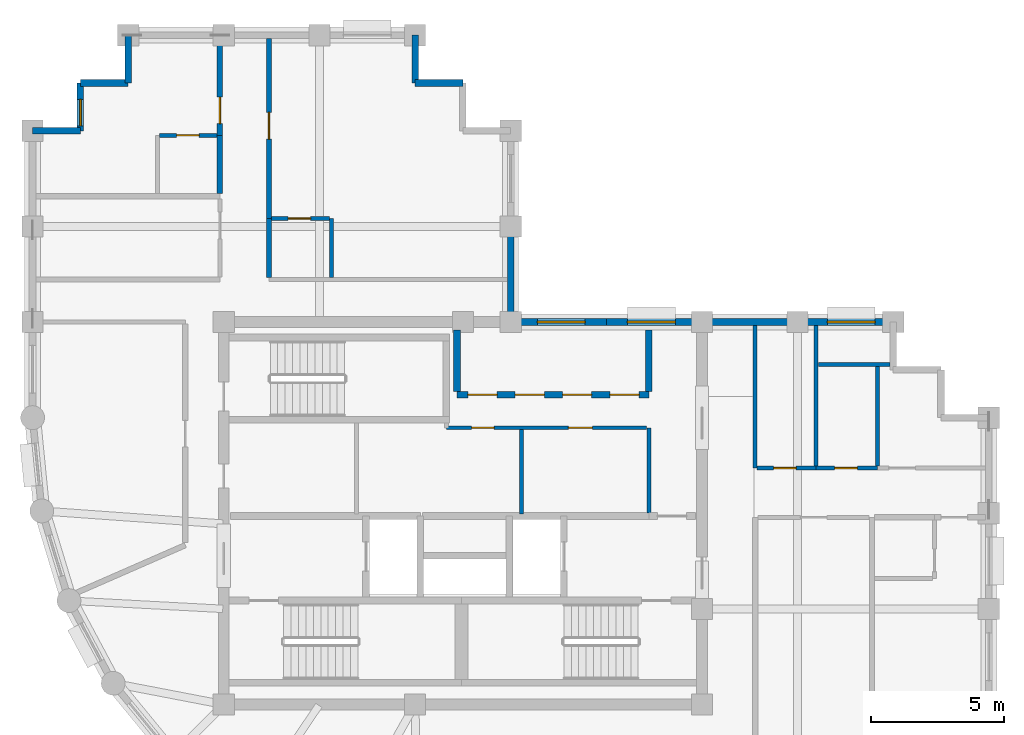
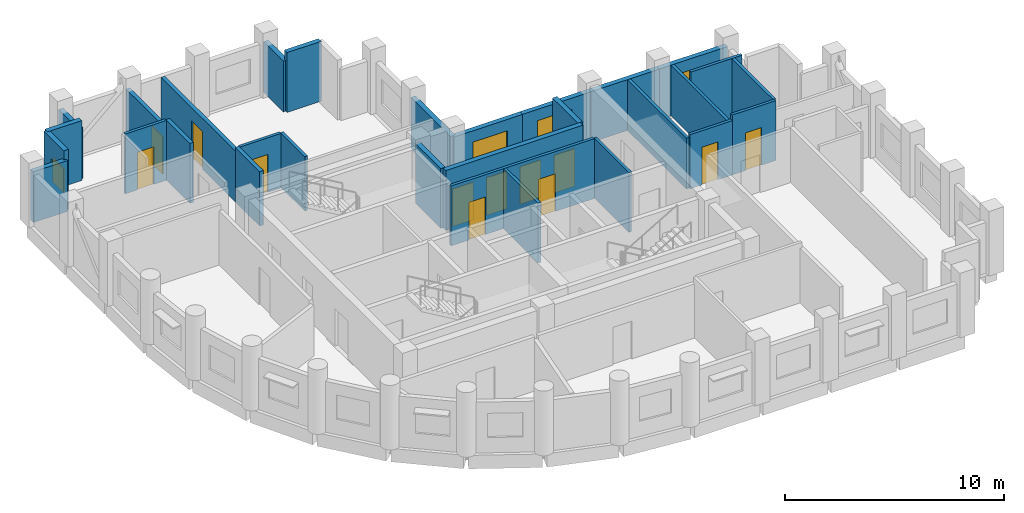
# One storey, part 4 of 7: 30 walls, 12 doors, 4 windows, 16 openings.
"""IFC4 building model written with IfcOpenShell, lengths in metres."""

from ifc_helpers import new_model, si_unit, direction, frame, frame_2d, origin, place, context, subcontext, project, spatial, rectangle, extrude, material, layer, layer_set, type_object, element, fill, save


model = new_model("IFC4")

# Units and contexts
model_context = context("Model", 3, precision=1e-05, world=origin(), true_north=direction((0.0, 1.0)))
body_context = subcontext(model_context, "Body", "Model", "MODEL_VIEW")
ifc_project = project(units=[si_unit("LENGTHUNIT", "METRE"), si_unit("AREAUNIT", "SQUARE_METRE"), si_unit("VOLUMEUNIT", "CUBIC_METRE"), si_unit("PLANEANGLEUNIT", "RADIAN"), si_unit("MASSUNIT", "GRAM", prefix="KILO")], contexts=[model_context])

# Site, building, storey
site_placement = place(None, origin())
site = spatial("IfcSite", under=ifc_project, at=site_placement, CompositionType="ELEMENT")
building_placement = place(site_placement, origin())
building = spatial("IfcBuilding", under=site, at=building_placement, Name="Solnavia Interchange Tower", CompositionType="ELEMENT")
storey_placement = place(building_placement, frame((0.0, 0.0, 242.60009765625)))
storey = spatial("IfcBuildingStorey", under=building, at=storey_placement, Name="L61", CompositionType="ELEMENT", Elevation=242.60009765625)

# Wall
ifc_material_1 = material(Name="Gypsum Acoustic Twin-Stud & Mineral Wool", Category="gypsum")
ifc_layer_1 = layer(ifc_material_1, 0.199951171875)
ifc_layer_set_1 = layer_set([ifc_layer_1], Name="Gypsum Acoustic Twin-Stud & Mineral Wool")
wall_type_1 = type_object("IfcWallType", Name="Wall-ApartmentParty-200", PredefinedType="PARTITIONING", material=ifc_layer_set_1)
wall_1_placement = place(storey_placement, frame((14.25, 30.033935546875, 0.0), z_axis=(0.0, 0.0, 1.0), x_axis=(0.0, 1.0, 0.0)))
element("IfcWall", 1, at=wall_1_placement, inside=storey, type_object=wall_type_1, Name="PTW-L61-28 Interior partition wall", PredefinedType="PARTITIONING", context=body_context, shape_type="SweptSolid", body=[
    extrude(rectangle(XDim=2.196044921875, YDim=0.199951171875, at=frame_2d((1.09814453125, 0.0))), origin(), (0.0, 0.0, 1.0), 3.3349609375),
])

# Wall, opening, door
wall_2_placement = place(storey_placement, frame((14.25, 32.22998046875, 0.0), z_axis=(0.0, 0.0, 1.0), x_axis=(0.0, 1.0, 0.0)))
wall_2 = element("IfcWall", 2, at=wall_2_placement, inside=storey, type_object=wall_type_1, Name="PTW-L61-29 Interior partition wall", PredefinedType="PARTITIONING", context=body_context, shape_type="SweptSolid", body=[
    extrude(rectangle(XDim=3.64111328125, YDim=0.199951171875, at=frame_2d((1.820556640625, 0.0))), origin(), (0.0, 0.0, 1.0), 2.829833984375),
])
opening_1_placement = place(wall_2_placement, frame((0.43896484375, 0.0, 0.0)))
opening_1 = element("IfcOpeningElement", 3, at=opening_1_placement, cuts=wall_2, Name="Opening DR-06", PredefinedType="OPENING", context=body_context, shape_type="SweptSolid", body=[
    extrude(rectangle(XDim=1.0, YDim=2.10009765625, at=frame_2d((0.5, 1.050048828125))), frame((0.0, 0.10986328125, 0.0), z_axis=(0.0, -1.0, 0.0), x_axis=(1.0, 0.0, 0.0)), (0.0, 0.0, 1.0), 0.219970703125),
])
ifc_material_2 = material(Name="Engineered Timber Acoustic Fire Door", Category="wood")
door_type_1 = type_object("IfcDoorType", Name="Door-FlatEntry-1000x2100", OperationType="SINGLE_SWING_LEFT", PredefinedType="DOOR", material=ifc_material_2)
door_1_placement = place(opening_1_placement, origin())
door_1 = element("IfcDoor", 4, at=door_1_placement, inside=storey, type_object=door_type_1, Name="DR-L61-13 Interior room door", OperationType="SINGLE_SWING_RIGHT", OverallHeight=2.10009765625, OverallWidth=1.0, PredefinedType="DOOR", context=body_context, shape_type="SweptSolid", body=[
    extrude(rectangle(XDim=1.0, YDim=2.10009765625, at=frame_2d((0.5, 1.050048828125))), frame((0.0, 0.02490234375, 0.0), z_axis=(0.0, -1.0, 0.0), x_axis=(1.0, 0.0, 0.0)), (0.0, 0.0, 1.0), 0.050048828125),
])
fill(opening_1, door_1)

# Wall
wall_3_placement = place(storey_placement, frame((16.10009765625, 26.87890625, 0.0), z_axis=(0.0, 0.0, 1.0), x_axis=(0.0, 1.0, 0.0)))
element("IfcWall", 5, at=wall_3_placement, inside=storey, type_object=wall_type_1, Name="PTW-L61-33 Interior partition wall", PredefinedType="PARTITIONING", context=body_context, shape_type="SweptSolid", body=[
    extrude(rectangle(XDim=2.22119140625, YDim=0.199951171875, at=frame_2d((1.110595703125, 0.0))), origin(), (0.0, 0.0, 1.0), 3.02978515625),
])

# Wall, opening, door
wall_4_placement = place(storey_placement, frame((16.10009765625, 29.10009765625, 0.0), z_axis=(0.0, 0.0, 1.0), x_axis=(0.0, 1.0, 0.0)))
wall_4 = element("IfcWall", 6, at=wall_4_placement, inside=storey, type_object=wall_type_1, Name="PTW-L61-34 Interior partition wall", PredefinedType="PARTITIONING", context=body_context, shape_type="SweptSolid", body=[
    extrude(rectangle(XDim=6.77099609375, YDim=0.199951171875, at=frame_2d((3.385498046875, 0.0))), origin(), (0.0, 0.0, 1.0), 2.829833984375),
])
opening_2_placement = place(wall_4_placement, frame((2.989990234375, 0.0, 0.0)))
opening_2 = element("IfcOpeningElement", 7, at=opening_2_placement, cuts=wall_4, Name="Opening DR-06", PredefinedType="OPENING", context=body_context, shape_type="SweptSolid", body=[
    extrude(rectangle(XDim=1.0, YDim=2.10009765625, at=frame_2d((0.5, 1.050048828125))), frame((0.0, 0.10986328125, 0.0), z_axis=(0.0, -1.0, 0.0), x_axis=(1.0, 0.0, 0.0)), (0.0, 0.0, 1.0), 0.219970703125),
])
door_2_placement = place(opening_2_placement, origin())
door_2 = element("IfcDoor", 8, at=door_2_placement, inside=storey, type_object=door_type_1, Name="DR-L61-15 Interior room door", OperationType="SINGLE_SWING_LEFT", OverallHeight=2.10009765625, OverallWidth=1.0, PredefinedType="DOOR", context=body_context, shape_type="SweptSolid", body=[
    extrude(rectangle(XDim=1.0, YDim=2.10009765625, at=frame_2d((0.5, 1.050048828125))), frame((0.0, 0.02490234375, 0.0), z_axis=(0.0, -1.0, 0.0), x_axis=(1.0, 0.0, 0.0)), (0.0, 0.0, 1.0), 0.050048828125),
])
fill(opening_2, door_2)

# Wall, opening, window
ifc_material_3 = material(Name="Concrete C40/50", Category="concrete")
ifc_layer_2 = layer(ifc_material_3, 0.25)
ifc_layer_set_2 = layer_set([ifc_layer_2], Name="Concrete C40/50")
wall_type_2 = type_object("IfcWallType", Name="Wall-ExtSpandrel-250", PredefinedType="STANDARD", material=ifc_layer_set_2)
wall_5_placement = place(storey_placement, frame((36.0, 25.199951171875, 0.0), z_axis=(0.0, 0.0, 1.0), x_axis=(1.0, 0.0, 0.0)))
wall_5 = element("IfcWall", 9, at=wall_5_placement, inside=storey, type_object=wall_type_2, Name="EXW-L61-17 Exterior precast spandrel wall", PredefinedType="STANDARD", context=body_context, shape_type="SweptSolid", body=[
    extrude(rectangle(XDim=3.60009765625, YDim=0.25, at=frame_2d((1.800048828125, 0.0))), origin(), (0.0, 0.0, 1.0), 2.829833984375),
])
opening_3_placement = place(wall_5_placement, frame((1.1201171875, 0.0, 0.85009765625)))
opening_3 = element("IfcOpeningElement", 10, at=opening_3_placement, cuts=wall_5, Name="Opening WIN-02", PredefinedType="OPENING", context=body_context, shape_type="SweptSolid", body=[
    extrude(rectangle(XDim=1.800048828125, YDim=1.35009765625, at=frame_2d((0.89990234375, 0.675048828125))), frame((0.0, 0.135009765625, 0.0), z_axis=(0.0, -1.0, 0.0), x_axis=(1.0, 0.0, 0.0)), (0.0, 0.0, 1.0), 0.27001953125),
])
ifc_material_4 = material(Name="Thermal-Break Aluminium & Low-E Glass", Category="aluminium")
window_type_1 = type_object("IfcWindowType", Name="Window-Ribbon-1800x1350", PartitioningType="SINGLE_PANEL", PredefinedType="WINDOW", material=ifc_material_4)
window_1_placement = place(opening_3_placement, origin())
window_1 = element("IfcWindow", 11, at=window_1_placement, inside=storey, type_object=window_type_1, Name="WIN-L61-17 Facade ribbon window", OverallHeight=1.35009765625, OverallWidth=1.800048828125, PartitioningType="SINGLE_PANEL", PredefinedType="WINDOW", context=body_context, shape_type="SweptSolid", body=[
    extrude(rectangle(XDim=1.800048828125, YDim=1.35009765625, at=frame_2d((0.89990234375, 0.675048828125))), frame((0.0, 0.030029296875, 0.0), z_axis=(0.0, -1.0, 0.0), x_axis=(1.0, 0.0, 0.0)), (0.0, 0.0, 1.0), 0.06005859375),
])
fill(opening_3, window_1)

# Wall
wall_6_placement = place(storey_placement, frame((32.39990234375, 25.199951171875, 0.0), z_axis=(0.0, 0.0, 1.0), x_axis=(1.0, 0.0, 0.0)))
element("IfcWall", 12, at=wall_6_placement, inside=storey, type_object=wall_type_2, Name="EXW-L61-18 Exterior precast spandrel wall", PredefinedType="STANDARD", context=body_context, shape_type="SweptSolid", body=[
    extrude(rectangle(XDim=3.60009765625, YDim=0.25, at=frame_2d((1.800048828125, 0.0))), origin(), (0.0, 0.0, 1.0), 2.829833984375),
])

# Wall, opening, window
wall_7_placement = place(storey_placement, frame((28.800048828125, 25.199951171875, 0.0), z_axis=(0.0, 0.0, 1.0), x_axis=(1.0, 0.0, 0.0)))
wall_7 = element("IfcWall", 13, at=wall_7_placement, inside=storey, type_object=wall_type_2, Name="EXW-L61-19 Exterior precast spandrel wall", PredefinedType="STANDARD", context=body_context, shape_type="SweptSolid", body=[
    extrude(rectangle(XDim=3.599853515625, YDim=0.25, at=frame_2d((1.7998046875, 0.0))), origin(), (0.0, 0.0, 1.0), 2.829833984375),
])
opening_4_placement = place(wall_7_placement, frame((0.794921875, 0.0, 0.85009765625)))
opening_4 = element("IfcOpeningElement", 14, at=opening_4_placement, cuts=wall_7, Name="Opening WIN-02", PredefinedType="OPENING", context=body_context, shape_type="SweptSolid", body=[
    extrude(rectangle(XDim=1.800048828125, YDim=1.35009765625, at=frame_2d((0.89990234375, 0.675048828125))), frame((0.0, 0.135009765625, 0.0), z_axis=(0.0, -1.0, 0.0), x_axis=(1.0, 0.0, 0.0)), (0.0, 0.0, 1.0), 0.27001953125),
])
window_2_placement = place(opening_4_placement, origin())
window_2 = element("IfcWindow", 15, at=window_2_placement, inside=storey, type_object=window_type_1, Name="WIN-L61-19 Facade ribbon window", OverallHeight=1.35009765625, OverallWidth=1.800048828125, PartitioningType="SINGLE_PANEL", PredefinedType="WINDOW", context=body_context, shape_type="SweptSolid", body=[
    extrude(rectangle(XDim=1.800048828125, YDim=1.35009765625, at=frame_2d((0.89990234375, 0.675048828125))), frame((0.0, 0.030029296875, 0.0), z_axis=(0.0, -1.0, 0.0), x_axis=(1.0, 0.0, 0.0)), (0.0, 0.0, 1.0), 0.06005859375),
])
fill(opening_4, window_2)

wall_8_placement = place(storey_placement, frame((25.199951171875, 25.199951171875, 0.0), z_axis=(0.0, 0.0, 1.0), x_axis=(1.0, 0.0, 0.0)))
wall_8 = element("IfcWall", 16, at=wall_8_placement, inside=storey, type_object=wall_type_2, Name="EXW-L61-20 Exterior precast spandrel wall", PredefinedType="STANDARD", context=body_context, shape_type="SweptSolid", body=[
    extrude(rectangle(XDim=3.60009765625, YDim=0.25, at=frame_2d((1.800048828125, 0.0))), origin(), (0.0, 0.0, 1.0), 2.829833984375),
])
opening_5_placement = place(wall_8_placement, frame((1.0048828125, 0.0, 0.85009765625)))
opening_5 = element("IfcOpeningElement", 17, at=opening_5_placement, cuts=wall_8, Name="Opening WIN-02", PredefinedType="OPENING", context=body_context, shape_type="SweptSolid", body=[
    extrude(rectangle(XDim=1.800048828125, YDim=1.35009765625, at=frame_2d((0.89990234375, 0.675048828125))), frame((0.0, 0.135009765625, 0.0), z_axis=(0.0, -1.0, 0.0), x_axis=(1.0, 0.0, 0.0)), (0.0, 0.0, 1.0), 0.27001953125),
])
window_3_placement = place(opening_5_placement, origin())
window_3 = element("IfcWindow", 18, at=window_3_placement, inside=storey, type_object=window_type_1, Name="WIN-L61-20 Facade ribbon window", OverallHeight=1.35009765625, OverallWidth=1.800048828125, PartitioningType="SINGLE_PANEL", PredefinedType="WINDOW", context=body_context, shape_type="SweptSolid", body=[
    extrude(rectangle(XDim=1.800048828125, YDim=1.35009765625, at=frame_2d((0.89990234375, 0.675048828125))), frame((0.0, 0.030029296875, 0.0), z_axis=(0.0, -1.0, 0.0), x_axis=(1.0, 0.0, 0.0)), (0.0, 0.0, 1.0), 0.06005859375),
])
fill(opening_5, window_3)

# Walls
wall_9_placement = place(storey_placement, frame((25.199951171875, 28.800048828125, 0.0), z_axis=(0.0, 0.0, 1.0), x_axis=(0.0, -1.0, 0.0)))
element("IfcWall", 19, at=wall_9_placement, inside=storey, type_object=wall_type_2, Name="EXW-L61-21 Exterior precast spandrel wall", PredefinedType="STANDARD", context=body_context, shape_type="SweptSolid", body=[
    extrude(rectangle(XDim=3.60009765625, YDim=0.25, at=frame_2d((1.800048828125, 0.0))), origin(), (0.0, 0.0, 1.0), 2.829833984375),
])
wall_10_placement = place(storey_placement, frame((21.60009765625, 34.199951171875, 0.0), z_axis=(0.0, 0.0, 1.0), x_axis=(1.0, 0.0, 0.0)))
element("IfcWall", 20, at=wall_10_placement, inside=storey, type_object=wall_type_2, Name="EXW-L61-25 Exterior precast spandrel wall", PredefinedType="STANDARD", context=body_context, shape_type="SweptSolid", body=[
    extrude(rectangle(XDim=1.7998046875, YDim=0.25, at=frame_2d((0.89990234375, 0.0))), origin(), (0.0, 0.0, 1.0), 3.3349609375),
])
for number, where, z_axis, x_axis, name in (
    (21, (21.60009765625, 34.199951171875, 0.0), (0.0, 0.0, 1.0), (0.0, 1.0, 0.0), "EXW-L61-26 Exterior precast spandrel wall"),
    (22, (10.800048828125, 34.199951171875, 0.0), (0.0, 0.0, 1.0), (0.0, 1.0, 0.0), "EXW-L61-30 Exterior precast spandrel wall"),
):
    element("IfcWall", number, at=place(storey_placement, frame(where, z_axis=z_axis, x_axis=x_axis)), inside=storey, type_object=wall_type_2, Name=name, PredefinedType="STANDARD", context=body_context, shape_type="SweptSolid", body=[
        extrude(rectangle(XDim=1.800048828125, YDim=0.25, at=frame_2d((0.89990234375, 0.0))), origin(), (0.0, 0.0, 1.0), 2.829833984375),
    ])
wall_11_placement = place(storey_placement, frame((9.0, 34.199951171875, 0.0), z_axis=(0.0, 0.0, 1.0), x_axis=(1.0, 0.0, 0.0)))
element("IfcWall", 23, at=wall_11_placement, inside=storey, type_object=wall_type_2, Name="EXW-L61-31 Exterior precast spandrel wall", PredefinedType="STANDARD", context=body_context, shape_type="SweptSolid", body=[
    extrude(rectangle(XDim=1.800048828125, YDim=0.25, at=frame_2d((0.89990234375, 0.0))), origin(), (0.0, 0.0, 1.0), 3.3349609375),
])

# Wall, opening, window
wall_12_placement = place(storey_placement, frame((9.0, 32.39990234375, 0.0), z_axis=(0.0, 0.0, 1.0), x_axis=(0.0, 1.0, 0.0)))
wall_12 = element("IfcWall", 24, at=wall_12_placement, inside=storey, type_object=wall_type_2, Name="EXW-L61-32 Exterior precast spandrel wall", PredefinedType="STANDARD", context=body_context, shape_type="SweptSolid", body=[
    extrude(rectangle(XDim=1.800048828125, YDim=0.25, at=frame_2d((0.89990234375, 0.0))), origin(), (0.0, 0.0, 1.0), 3.3349609375),
])
opening_6_placement = place(wall_12_placement, frame((0.179931640625, 0.0, 0.85009765625)))
opening_6 = element("IfcOpeningElement", 25, at=opening_6_placement, cuts=wall_12, Name="Opening WIN-07", PredefinedType="OPENING", context=body_context, shape_type="SweptSolid", body=[
    extrude(rectangle(XDim=1.0, YDim=1.35009765625, at=frame_2d((0.5, 0.675048828125))), frame((0.0, 0.135009765625, 0.0), z_axis=(0.0, -1.0, 0.0), x_axis=(1.0, 0.0, 0.0)), (0.0, 0.0, 1.0), 0.27001953125),
])
window_type_2 = type_object("IfcWindowType", Name="Window-Bedroom-1000x1350", PartitioningType="SINGLE_PANEL", PredefinedType="WINDOW", material=ifc_material_4)
window_4_placement = place(opening_6_placement, origin())
window_4 = element("IfcWindow", 26, at=window_4_placement, inside=storey, type_object=window_type_2, Name="WIN-L61-DW01 Dwelling bedroom window", OverallHeight=1.35009765625, OverallWidth=1.0, PartitioningType="SINGLE_PANEL", PredefinedType="WINDOW", context=body_context, shape_type="SweptSolid", body=[
    extrude(rectangle(XDim=1.0, YDim=1.35009765625, at=frame_2d((0.5, 0.675048828125))), frame((0.0, 0.030029296875, 0.0), z_axis=(0.0, -1.0, 0.0), x_axis=(1.0, 0.0, 0.0)), (0.0, 0.0, 1.0), 0.06005859375),
])
fill(opening_6, window_4)

# Wall
wall_13_placement = place(storey_placement, frame((7.199951171875, 32.39990234375, 0.0), z_axis=(0.0, 0.0, 1.0), x_axis=(1.0, 0.0, 0.0)))
element("IfcWall", 27, at=wall_13_placement, inside=storey, type_object=wall_type_2, Name="EXW-L61-33 Exterior precast spandrel wall", PredefinedType="STANDARD", context=body_context, shape_type="SweptSolid", body=[
    extrude(rectangle(XDim=1.800048828125, YDim=0.25, at=frame_2d((0.89990234375, 0.0))), origin(), (0.0, 0.0, 1.0), 2.829833984375),
])

# Wall, openings, doors
ifc_material_5 = material(Name="Gypsum Plasterboard & Steel Stud", Category="steel")
ifc_layer_3 = layer(ifc_material_5, 0.14990234375)
ifc_layer_set_3 = layer_set([ifc_layer_3], Name="Gypsum Plasterboard & Steel Stud")
wall_type_3 = type_object("IfcWallType", Name="Wall-Partition-150", PredefinedType="PARTITIONING", material=ifc_layer_set_3)
wall_14_placement = place(storey_placement, frame((22.77490234375, 21.219970703125, 0.0), z_axis=(0.0, 0.0, 1.0), x_axis=(1.0, 0.0, 0.0)))
wall_14 = element("IfcWall", 28, at=wall_14_placement, inside=storey, type_object=wall_type_3, Name="CSW-L61-N-ALL Core shaft wall", PredefinedType="PARTITIONING", context=body_context, shape_type="SweptSolid", body=[
    extrude(rectangle(XDim=7.545166015625, YDim=0.14990234375, at=frame_2d((3.7724609375, 0.0))), origin(), (0.0, 0.0, 1.0), 3.3349609375),
])
opening_7_placement = place(wall_14_placement, frame((0.949951171875, 0.0, 0.0)))
opening_7 = element("IfcOpeningElement", 29, at=opening_7_placement, cuts=wall_14, Name="Opening DR-10", PredefinedType="OPENING", context=body_context, shape_type="SweptSolid", body=[
    extrude(rectangle(XDim=0.85009765625, YDim=2.10009765625, at=frame_2d((0.425048828125, 1.050048828125))), frame((0.0, 0.0849609375, 0.0), z_axis=(0.0, -1.0, 0.0), x_axis=(1.0, 0.0, 0.0)), (0.0, 0.0, 1.0), 0.169921875),
])
opening_8_placement = place(wall_14_placement, frame((4.60009765625, 0.0, 0.0)))
opening_8 = element("IfcOpeningElement", 30, at=opening_8_placement, cuts=wall_14, Name="Opening DR-09", PredefinedType="OPENING", context=body_context, shape_type="SweptSolid", body=[
    extrude(rectangle(XDim=0.89990234375, YDim=2.10009765625, at=frame_2d((0.449951171875, 1.050048828125))), frame((0.0, 0.0849609375, 0.0), z_axis=(0.0, -1.0, 0.0), x_axis=(1.0, 0.0, 0.0)), (0.0, 0.0, 1.0), 0.169921875),
])
ifc_material_6 = material(Name="Moisture-Resistant Timber Door", Category="wood")
door_type_2 = type_object("IfcDoorType", Name="Door-Bathroom-850x2100", OperationType="SINGLE_SWING_RIGHT", PredefinedType="DOOR", material=ifc_material_6)
door_3_placement = place(opening_7_placement, origin())
door_3 = element("IfcDoor", 31, at=door_3_placement, inside=storey, type_object=door_type_2, Name="DR-L61-CS2 Core fire door", OperationType="SINGLE_SWING_LEFT", OverallHeight=2.10009765625, OverallWidth=0.85009765625, PredefinedType="DOOR", context=body_context, shape_type="SweptSolid", body=[
    extrude(rectangle(XDim=0.85009765625, YDim=2.10009765625, at=frame_2d((0.425048828125, 1.050048828125))), frame((0.0, 0.02490234375, 0.0), z_axis=(0.0, -1.0, 0.0), x_axis=(1.0, 0.0, 0.0)), (0.0, 0.0, 1.0), 0.050048828125),
])
fill(opening_7, door_3)
ifc_material_7 = material(Name="Engineered Oak Veneer Door", Category="wood")
door_type_3 = type_object("IfcDoorType", Name="Door-Internal-900x2100", OperationType="SINGLE_SWING_LEFT", PredefinedType="DOOR", material=ifc_material_7)
door_4_placement = place(opening_8_placement, origin())
door_4 = element("IfcDoor", 32, at=door_4_placement, inside=storey, type_object=door_type_3, Name="DR-L61-CS3 Core fire door", OperationType="SINGLE_SWING_RIGHT", OverallHeight=2.10009765625, OverallWidth=0.89990234375, PredefinedType="DOOR", context=body_context, shape_type="SweptSolid", body=[
    extrude(rectangle(XDim=0.89990234375, YDim=2.10009765625, at=frame_2d((0.449951171875, 1.050048828125))), frame((0.0, 0.02490234375, 0.0), z_axis=(0.0, -1.0, 0.0), x_axis=(1.0, 0.0, 0.0)), (0.0, 0.0, 1.0), 0.050048828125),
])
fill(opening_8, door_4)

# Walls
wall_15_placement = place(storey_placement, frame((30.39990234375, 18.02001953125, 0.0), z_axis=(0.0, 0.0, 1.0), x_axis=(0.0, 1.0, 0.0)))
element("IfcWall", 33, at=wall_15_placement, inside=storey, type_object=wall_type_3, Name="CSW-L61-E-E Core shaft wall", PredefinedType="PARTITIONING", context=body_context, shape_type="SweptSolid", body=[
    extrude(rectangle(XDim=3.199951171875, YDim=0.14990234375, at=frame_2d((1.60009765625, 0.0))), origin(), (0.0, 0.0, 1.0), 3.3349609375),
])
wall_16_placement = place(storey_placement, frame((25.60009765625, 17.97998046875, 0.0), z_axis=(0.0, 0.0, 1.0), x_axis=(0.0, 1.0, 0.0)))
element("IfcWall", 34, at=wall_16_placement, inside=storey, type_object=wall_type_3, Name="CSW-L61-M2 Core shaft wall", PredefinedType="PARTITIONING", context=body_context, shape_type="SweptSolid", body=[
    extrude(rectangle(XDim=3.169921875, YDim=0.14990234375, at=frame_2d((1.5849609375, 0.0))), origin(), (0.0, 0.0, 1.0), 3.3349609375),
])

# Wall, openings, doors
ifc_layer_4 = layer(ifc_material_3, 0.25)
ifc_layer_set_4 = layer_set([ifc_layer_4], Name="Concrete C40/50")
wall_type_4 = type_object("IfcWallType", Name="Wall-ShaftPart-250", PredefinedType="PARTITIONING", material=ifc_layer_set_4)
wall_17_placement = place(storey_placement, frame((23.179931640625, 22.4599609375, 0.0), z_axis=(0.0, 0.0, 1.0), x_axis=(1.0, 0.0, 0.0)))
wall_17 = element("IfcWall", 35, at=wall_17_placement, inside=storey, type_object=wall_type_4, Name="SHW-L61-B3S Core shaft wall", PredefinedType="PARTITIONING", context=body_context, shape_type="SweptSolid", body=[
    extrude(rectangle(XDim=7.219970703125, YDim=0.25, at=frame_2d((3.60986328125, 0.0))), origin(), (0.0, 0.0, 1.0), 3.3349609375),
])
opening_9_placement = place(wall_17_placement, frame((0.409912109375, 0.0, 0.0)))
opening_9 = element("IfcOpeningElement", 36, at=opening_9_placement, cuts=wall_17, Name="Opening LD-01", PredefinedType="OPENING", context=body_context, shape_type="SweptSolid", body=[
    extrude(rectangle(XDim=1.10009765625, YDim=2.10009765625, at=frame_2d((0.550048828125, 1.050048828125))), frame((0.0, 0.135009765625, 0.0), z_axis=(0.0, -1.0, 0.0), x_axis=(1.0, 0.0, 0.0)), (0.0, 0.0, 1.0), 0.27001953125),
])
opening_10_placement = place(wall_17_placement, frame((2.18994140625, 0.0, 0.0)))
opening_10 = element("IfcOpeningElement", 37, at=opening_10_placement, cuts=wall_17, Name="Opening LD-01", PredefinedType="OPENING", context=body_context, shape_type="SweptSolid", body=[
    extrude(rectangle(XDim=1.10009765625, YDim=2.10009765625, at=frame_2d((0.550048828125, 1.050048828125))), frame((0.0, 0.135009765625, 0.0), z_axis=(0.0, -1.0, 0.0), x_axis=(1.0, 0.0, 0.0)), (0.0, 0.0, 1.0), 0.27001953125),
])
opening_11_placement = place(wall_17_placement, frame((3.969970703125, 0.0, 0.0)))
opening_11 = element("IfcOpeningElement", 38, at=opening_11_placement, cuts=wall_17, Name="Opening LD-01", PredefinedType="OPENING", context=body_context, shape_type="SweptSolid", body=[
    extrude(rectangle(XDim=1.10009765625, YDim=2.10009765625, at=frame_2d((0.550048828125, 1.050048828125))), frame((0.0, 0.135009765625, 0.0), z_axis=(0.0, -1.0, 0.0), x_axis=(1.0, 0.0, 0.0)), (0.0, 0.0, 1.0), 0.27001953125),
])
opening_12_placement = place(wall_17_placement, frame((5.75, 0.0, 0.0)))
opening_12 = element("IfcOpeningElement", 39, at=opening_12_placement, cuts=wall_17, Name="Opening LD-01", PredefinedType="OPENING", context=body_context, shape_type="SweptSolid", body=[
    extrude(rectangle(XDim=1.10009765625, YDim=2.10009765625, at=frame_2d((0.550048828125, 1.050048828125))), frame((0.0, 0.135009765625, 0.0), z_axis=(0.0, -1.0, 0.0), x_axis=(1.0, 0.0, 0.0)), (0.0, 0.0, 1.0), 0.27001953125),
])
ifc_material_8 = material(Name="Brushed Stainless Steel Sliding Door", Category="steel")
door_type_4 = type_object("IfcDoorType", Name="Door-LiftLanding-1100x2100", OperationType="SLIDING_TO_LEFT", PredefinedType="DOOR", material=ifc_material_8)
door_5_placement = place(opening_9_placement, origin())
door_5 = element("IfcDoor", 40, at=door_5_placement, inside=storey, type_object=door_type_4, Name="LD-L61-B3-1 Lift landing sliding door", OperationType="SLIDING_TO_LEFT", OverallHeight=2.10009765625, OverallWidth=1.10009765625, PredefinedType="DOOR", context=body_context, shape_type="SweptSolid", body=[
    extrude(rectangle(XDim=1.10009765625, YDim=2.10009765625, at=frame_2d((0.550048828125, 1.050048828125))), frame((0.0, 0.02490234375, 0.0), z_axis=(0.0, -1.0, 0.0), x_axis=(1.0, 0.0, 0.0)), (0.0, 0.0, 1.0), 0.050048828125),
])
fill(opening_9, door_5)
door_6_placement = place(opening_10_placement, origin())
door_6 = element("IfcDoor", 41, at=door_6_placement, inside=storey, type_object=door_type_4, Name="LD-L61-B3-2 Lift landing sliding door", OperationType="SLIDING_TO_LEFT", OverallHeight=2.10009765625, OverallWidth=1.10009765625, PredefinedType="DOOR", context=body_context, shape_type="SweptSolid", body=[
    extrude(rectangle(XDim=1.10009765625, YDim=2.10009765625, at=frame_2d((0.550048828125, 1.050048828125))), frame((0.0, 0.02490234375, 0.0), z_axis=(0.0, -1.0, 0.0), x_axis=(1.0, 0.0, 0.0)), (0.0, 0.0, 1.0), 0.050048828125),
])
fill(opening_10, door_6)
door_7_placement = place(opening_11_placement, origin())
door_7 = element("IfcDoor", 42, at=door_7_placement, inside=storey, type_object=door_type_4, Name="LD-L61-B3-3 Lift landing sliding door", OperationType="SLIDING_TO_LEFT", OverallHeight=2.10009765625, OverallWidth=1.10009765625, PredefinedType="DOOR", context=body_context, shape_type="SweptSolid", body=[
    extrude(rectangle(XDim=1.10009765625, YDim=2.10009765625, at=frame_2d((0.550048828125, 1.050048828125))), frame((0.0, 0.02490234375, 0.0), z_axis=(0.0, -1.0, 0.0), x_axis=(1.0, 0.0, 0.0)), (0.0, 0.0, 1.0), 0.050048828125),
])
fill(opening_11, door_7)
door_8_placement = place(opening_12_placement, origin())
door_8 = element("IfcDoor", 43, at=door_8_placement, inside=storey, type_object=door_type_4, Name="LD-L61-B3-4 Lift landing sliding door", OperationType="SLIDING_TO_LEFT", OverallHeight=2.10009765625, OverallWidth=1.10009765625, PredefinedType="DOOR", context=body_context, shape_type="SweptSolid", body=[
    extrude(rectangle(XDim=1.10009765625, YDim=2.10009765625, at=frame_2d((0.550048828125, 1.050048828125))), frame((0.0, 0.02490234375, 0.0), z_axis=(0.0, -1.0, 0.0), x_axis=(1.0, 0.0, 0.0)), (0.0, 0.0, 1.0), 0.050048828125),
])
fill(opening_12, door_8)

# Walls
for number, where, z_axis, x_axis, name in (
    (44, (23.179931640625, 22.5849609375, 0.0), (0.0, 0.0, 1.0), (0.0, 1.0, 0.0), "SHW-L61-B3W Core shaft wall"),
    (45, (30.39990234375, 22.5849609375, 0.0), (0.0, 0.0, 1.0), (0.0, 1.0, 0.0), "SHW-L61-B3E Core shaft wall"),
):
    element("IfcWall", number, at=place(storey_placement, frame(where, z_axis=z_axis, x_axis=x_axis)), inside=storey, type_object=wall_type_4, Name=name, PredefinedType="PARTITIONING", context=body_context, shape_type="SweptSolid", body=[
        extrude(rectangle(XDim=2.31494140625, YDim=0.25, at=frame_2d((1.157470703125, 0.0))), origin(), (0.0, 0.0, 1.0), 3.3349609375),
    ])
ifc_material_9 = material(Name="Moisture-Resistant Gypsum & Steel Stud", Category="steel")
ifc_layer_5 = layer(ifc_material_9, 0.14990234375)
ifc_layer_set_5 = layer_set([ifc_layer_5], Name="Moisture-Resistant Gypsum & Steel Stud")
wall_type_5 = type_object("IfcWallType", Name="Wall-WetRoom-150", PredefinedType="PARTITIONING", material=ifc_layer_set_5)
wall_18_placement = place(storey_placement, frame((34.39990234375, 19.699951171875, 0.0), z_axis=(0.0, 0.0, 1.0), x_axis=(0.0, 1.0, 0.0)))
element("IfcWall", 46, at=wall_18_placement, inside=storey, type_object=wall_type_5, Name="PTW-L61-01 Interior partition wall", PredefinedType="PARTITIONING", context=body_context, shape_type="SweptSolid", body=[
    extrude(rectangle(XDim=5.37109375, YDim=0.14990234375, at=frame_2d((2.685546875, 0.0))), origin(), (0.0, 0.0, 1.0), 2.829833984375),
])

# Wall, opening, door
wall_19_placement = place(storey_placement, frame((34.47900390625, 19.699951171875, 0.0), z_axis=(0.0, 0.0, 1.0), x_axis=(1.0, 0.0, 0.0)))
wall_19 = element("IfcWall", 47, at=wall_19_placement, inside=storey, type_object=wall_type_5, Name="PTW-L61-02 Interior partition wall", PredefinedType="PARTITIONING", context=body_context, shape_type="SweptSolid", body=[
    extrude(rectangle(XDim=2.220947265625, YDim=0.14990234375, at=frame_2d((1.1103515625, 0.0))), origin(), (0.0, 0.0, 1.0), 3.02001953125),
])
opening_13_placement = place(wall_19_placement, frame((0.617919921875, 0.0, 0.0)))
opening_13 = element("IfcOpeningElement", 48, at=opening_13_placement, cuts=wall_19, Name="Opening DR-10", PredefinedType="OPENING", context=body_context, shape_type="SweptSolid", body=[
    extrude(rectangle(XDim=0.85009765625, YDim=2.10009765625, at=frame_2d((0.425048828125, 1.050048828125))), frame((0.0, 0.0849609375, 0.0), z_axis=(0.0, -1.0, 0.0), x_axis=(1.0, 0.0, 0.0)), (0.0, 0.0, 1.0), 0.169921875),
])
door_9_placement = place(opening_13_placement, origin())
door_9 = element("IfcDoor", 49, at=door_9_placement, inside=storey, type_object=door_type_2, Name="DR-L61-01 Interior room door", OperationType="SINGLE_SWING_LEFT", OverallHeight=2.10009765625, OverallWidth=0.85009765625, PredefinedType="DOOR", context=body_context, shape_type="SweptSolid", body=[
    extrude(rectangle(XDim=0.85009765625, YDim=2.10009765625, at=frame_2d((0.425048828125, 1.050048828125))), frame((0.0, 0.02490234375, 0.0), z_axis=(0.0, -1.0, 0.0), x_axis=(1.0, 0.0, 0.0)), (0.0, 0.0, 1.0), 0.050048828125),
])
fill(opening_13, door_9)

# Wall
wall_20_placement = place(storey_placement, frame((36.699951171875, 19.779052734375, 0.0), z_axis=(0.0, 0.0, 1.0), x_axis=(0.0, 1.0, 0.0)))
element("IfcWall", 50, at=wall_20_placement, inside=storey, type_object=wall_type_5, Name="PTW-L61-03 Interior partition wall", PredefinedType="PARTITIONING", context=body_context, shape_type="SweptSolid", body=[
    extrude(rectangle(XDim=5.2919921875, YDim=0.14990234375, at=frame_2d((2.64599609375, 0.0))), origin(), (0.0, 0.0, 1.0), 2.829833984375),
])

# Wall, opening, door
wall_21_placement = place(storey_placement, frame((36.699951171875, 19.699951171875, 0.0), z_axis=(0.0, 0.0, 1.0), x_axis=(1.0, 0.0, 0.0)))
wall_21 = element("IfcWall", 51, at=wall_21_placement, inside=storey, type_object=wall_type_5, Name="PTW-L61-04 Interior partition wall", PredefinedType="PARTITIONING", context=body_context, shape_type="SweptSolid", body=[
    extrude(rectangle(XDim=2.300048828125, YDim=0.14990234375, at=frame_2d((1.14990234375, 0.0))), origin(), (0.0, 0.0, 1.0), 3.3349609375),
])
opening_14_placement = place(wall_21_placement, frame((0.697021484375, 0.0, 0.0)))
opening_14 = element("IfcOpeningElement", 52, at=opening_14_placement, cuts=wall_21, Name="Opening DR-10", PredefinedType="OPENING", context=body_context, shape_type="SweptSolid", body=[
    extrude(rectangle(XDim=0.85009765625, YDim=2.10009765625, at=frame_2d((0.425048828125, 1.050048828125))), frame((0.0, 0.0849609375, 0.0), z_axis=(0.0, -1.0, 0.0), x_axis=(1.0, 0.0, 0.0)), (0.0, 0.0, 1.0), 0.169921875),
])
door_10_placement = place(opening_14_placement, origin())
door_10 = element("IfcDoor", 53, at=door_10_placement, inside=storey, type_object=door_type_2, Name="DR-L61-02 Interior room door", OperationType="SINGLE_SWING_RIGHT", OverallHeight=2.10009765625, OverallWidth=0.85009765625, PredefinedType="DOOR", context=body_context, shape_type="SweptSolid", body=[
    extrude(rectangle(XDim=0.85009765625, YDim=2.10009765625, at=frame_2d((0.425048828125, 1.050048828125))), frame((0.0, 0.02490234375, 0.0), z_axis=(0.0, -1.0, 0.0), x_axis=(1.0, 0.0, 0.0)), (0.0, 0.0, 1.0), 0.050048828125),
])
fill(opening_14, door_10)

# Walls
wall_22_placement = place(storey_placement, frame((39.0, 19.779052734375, 0.0), z_axis=(0.0, 0.0, 1.0), x_axis=(0.0, 1.0, 0.0)))
element("IfcWall", 54, at=wall_22_placement, inside=storey, type_object=wall_type_5, Name="PTW-L61-05 Interior partition wall", PredefinedType="PARTITIONING", context=body_context, shape_type="SweptSolid", body=[
    extrude(rectangle(XDim=3.821044921875, YDim=0.14990234375, at=frame_2d((1.91064453125, 0.0))), origin(), (0.0, 0.0, 1.0), 3.3349609375),
])
wall_23_placement = place(storey_placement, frame((36.779052734375, 23.60009765625, 0.0), z_axis=(0.0, 0.0, 1.0), x_axis=(1.0, 0.0, 0.0)))
element("IfcWall", 55, at=wall_23_placement, inside=storey, type_object=wall_type_5, Name="PTW-L61-06 Interior partition wall", PredefinedType="PARTITIONING", context=body_context, shape_type="SweptSolid", body=[
    extrude(rectangle(XDim=2.69189453125, YDim=0.14990234375, at=frame_2d((1.345947265625, 0.0))), origin(), (0.0, 0.0, 1.0), 3.3349609375),
])

# Wall, opening, door
wall_24_placement = place(storey_placement, frame((11.97900390625, 32.22998046875, 0.0), z_axis=(0.0, 0.0, 1.0), x_axis=(1.0, 0.0, 0.0)))
wall_24 = element("IfcWall", 56, at=wall_24_placement, inside=storey, type_object=wall_type_5, Name="PTW-L61-31 Interior partition wall", PredefinedType="PARTITIONING", context=body_context, shape_type="SweptSolid", body=[
    extrude(rectangle(XDim=2.1669921875, YDim=0.14990234375, at=frame_2d((1.08349609375, 0.0))), origin(), (0.0, 0.0, 1.0), 3.3349609375),
])
opening_15_placement = place(wall_24_placement, frame((0.64111328125, 0.0, 0.0)))
opening_15 = element("IfcOpeningElement", 57, at=opening_15_placement, cuts=wall_24, Name="Opening DR-10", PredefinedType="OPENING", context=body_context, shape_type="SweptSolid", body=[
    extrude(rectangle(XDim=0.85009765625, YDim=2.10009765625, at=frame_2d((0.425048828125, 1.050048828125))), frame((0.0, 0.0849609375, 0.0), z_axis=(0.0, -1.0, 0.0), x_axis=(1.0, 0.0, 0.0)), (0.0, 0.0, 1.0), 0.169921875),
])
door_11_placement = place(opening_15_placement, origin())
door_11 = element("IfcDoor", 58, at=door_11_placement, inside=storey, type_object=door_type_2, Name="DR-L61-14 Interior room door", OperationType="SINGLE_SWING_RIGHT", OverallHeight=2.10009765625, OverallWidth=0.85009765625, PredefinedType="DOOR", context=body_context, shape_type="SweptSolid", body=[
    extrude(rectangle(XDim=0.85009765625, YDim=2.10009765625, at=frame_2d((0.425048828125, 1.050048828125))), frame((0.0, 0.02490234375, 0.0), z_axis=(0.0, -1.0, 0.0), x_axis=(1.0, 0.0, 0.0)), (0.0, 0.0, 1.0), 0.050048828125),
])
fill(opening_15, door_11)

# Wall
wall_25_placement = place(storey_placement, frame((18.449951171875, 26.87890625, 0.0), z_axis=(0.0, 0.0, 1.0), x_axis=(0.0, 1.0, 0.0)))
element("IfcWall", 59, at=wall_25_placement, inside=storey, type_object=wall_type_5, Name="PTW-L61-35 Interior partition wall", PredefinedType="PARTITIONING", context=body_context, shape_type="SweptSolid", body=[
    extrude(rectangle(XDim=2.22119140625, YDim=0.14990234375, at=frame_2d((1.110595703125, 0.0))), origin(), (0.0, 0.0, 1.0), 3.02978515625),
])

# Wall, opening, door
wall_26_placement = place(storey_placement, frame((16.2041015625, 29.10009765625, 0.0), z_axis=(0.0, 0.0, 1.0), x_axis=(1.0, 0.0, 0.0)))
wall_26 = element("IfcWall", 60, at=wall_26_placement, inside=storey, type_object=wall_type_5, Name="PTW-L61-36 Interior partition wall", PredefinedType="PARTITIONING", context=body_context, shape_type="SweptSolid", body=[
    extrude(rectangle(XDim=2.1669921875, YDim=0.14990234375, at=frame_2d((1.08349609375, 0.0))), origin(), (0.0, 0.0, 1.0), 3.02978515625),
])
opening_16_placement = place(wall_26_placement, frame((0.615966796875, 0.0, 0.0)))
opening_16 = element("IfcOpeningElement", 61, at=opening_16_placement, cuts=wall_26, Name="Opening DR-10", PredefinedType="OPENING", context=body_context, shape_type="SweptSolid", body=[
    extrude(rectangle(XDim=0.85009765625, YDim=2.10009765625, at=frame_2d((0.425048828125, 1.050048828125))), frame((0.0, 0.0849609375, 0.0), z_axis=(0.0, -1.0, 0.0), x_axis=(1.0, 0.0, 0.0)), (0.0, 0.0, 1.0), 0.169921875),
])
door_12_placement = place(opening_16_placement, origin())
door_12 = element("IfcDoor", 62, at=door_12_placement, inside=storey, type_object=door_type_2, Name="DR-L61-16 Interior room door", OperationType="SINGLE_SWING_RIGHT", OverallHeight=2.10009765625, OverallWidth=0.85009765625, PredefinedType="DOOR", context=body_context, shape_type="SweptSolid", body=[
    extrude(rectangle(XDim=0.85009765625, YDim=2.10009765625, at=frame_2d((0.425048828125, 1.050048828125))), frame((0.0, 0.02490234375, 0.0), z_axis=(0.0, -1.0, 0.0), x_axis=(1.0, 0.0, 0.0)), (0.0, 0.0, 1.0), 0.050048828125),
])
fill(opening_16, door_12)

save(model, "model.ifc")
